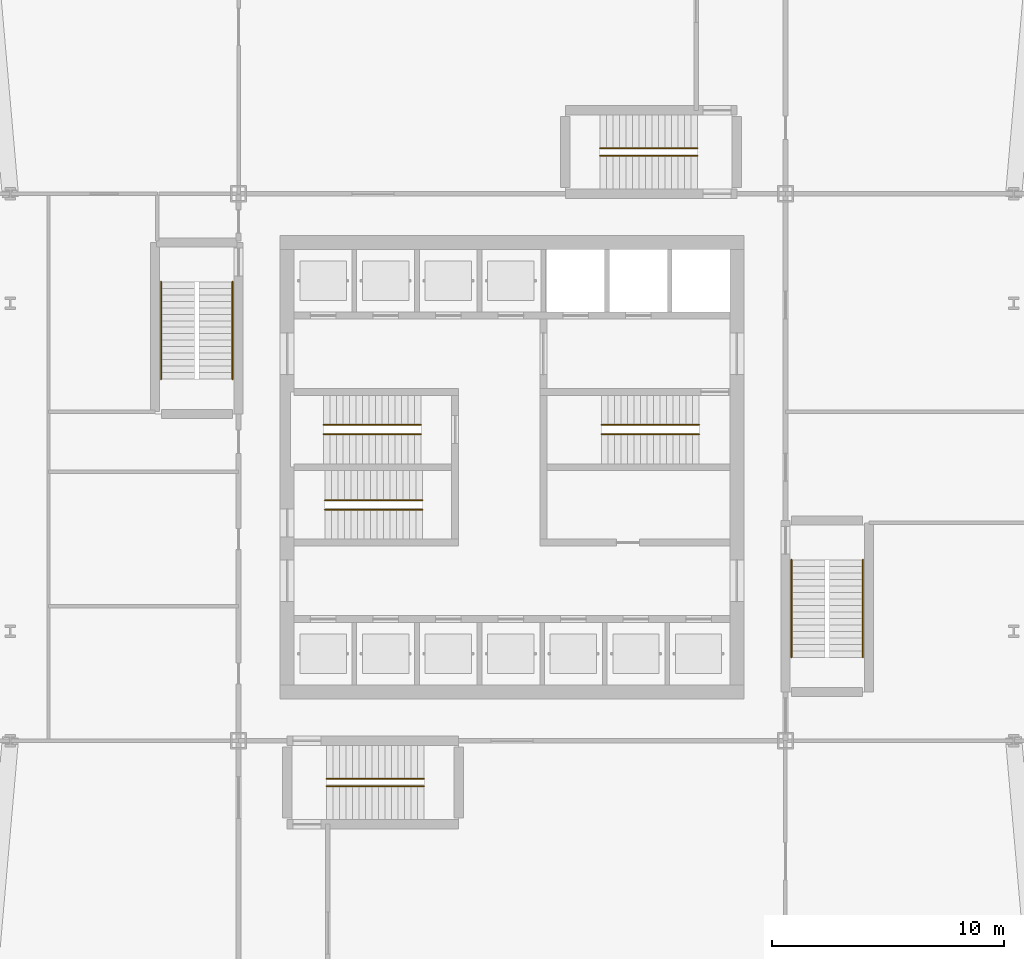
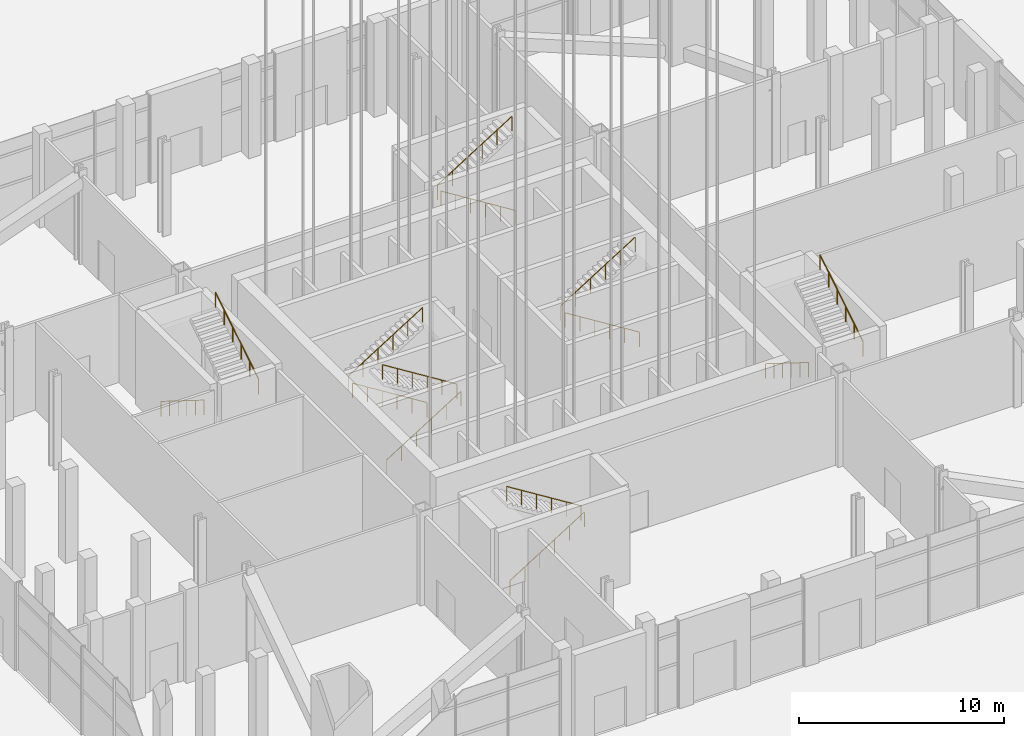
# One storey, part 16 of 27: 14 railings.
"""IFC4 building model written with IfcOpenShell, lengths in metres."""

import ifcopenshell
import ifcopenshell.guid

model = None  # the IFC model being written
_history = None  # IfcOwnerHistory: only IFC2X3 demands one
_inside = {}  # id of a spatial element -> (the spatial element, [elements in it])
_under = {}  # id of a project, library or spatial element -> (it, [spatial elements below it])
_declared = {}  # id of a project -> (the project, [libraries it declares])
_typed = {}  # id of a type object -> (the type object, [elements of that type])
_made_of = {}  # id of a material, layer set ... -> (it, [elements and type objects made of it])


def new_model(schema):
    """Start an empty IFC model of exactly this schema.

    Asked for "IFC4X3", IfcOpenShell would pick the latest addendum, in which some entities
    have other attributes; the version numbers below select the first issue.
    IFC2X3 requires an IfcOwnerHistory on every rooted entity: one is made here for all.
    """
    global model, _history
    if schema == "IFC4X3":
        model = ifcopenshell.file(schema_version=(4, 3, 0, 0))
    else:
        model = ifcopenshell.file(schema=schema)
    _inside.clear()
    _under.clear()
    _declared.clear()
    _typed.clear()
    _made_of.clear()
    _history = None
    if model.schema == "IFC2X3":
        org = make("IfcOrganization", Name="unknown")
        user = make(
            "IfcPersonAndOrganization",
            ThePerson=make("IfcPerson", FamilyName="unknown"),
            TheOrganization=org,
        )
        app = make(
            "IfcApplication",
            ApplicationDeveloper=org,
            Version="unknown",
            ApplicationFullName="unknown",
            ApplicationIdentifier="unknown",
        )
        _history = make(
            "IfcOwnerHistory",
            OwningUser=user,
            OwningApplication=app,
            ChangeAction="ADDED",
            CreationDate=0,
        )
    return model


def make(cls, **values):
    """One entity of the class cls with the attributes given. An attribute that is None is left unset."""
    return model.create_entity(
        cls, **{name: value for name, value in values.items() if value is not None}
    )


def rooted(cls, **values):
    """An entity with a GlobalId (a new one), such as an element, a storey or a relation."""
    return make(cls, GlobalId=ifcopenshell.guid.new(), OwnerHistory=_history, **values)


def si_unit(unit_type, name, prefix=None):
    """IfcSIUnit, for example si_unit("LENGTHUNIT", "METRE", prefix="MILLI")."""
    return make("IfcSIUnit", UnitType=unit_type, Prefix=prefix, Name=name)


def assignment(units):
    """IfcUnitAssignment: the units of a project."""
    return None if units is None else make("IfcUnitAssignment", Units=units)


def point(xyz):
    """IfcCartesianPoint."""
    return None if xyz is None else make("IfcCartesianPoint", Coordinates=xyz)


def direction(xyz):
    """IfcDirection."""
    return None if xyz is None else make("IfcDirection", DirectionRatios=xyz)


def frame(location, z_axis=None, x_axis=None):
    """IfcAxis2Placement3D, a coordinate frame: its origin and axes. An axis left out is left unset."""
    return make(
        "IfcAxis2Placement3D",
        Location=point(location),
        Axis=direction(z_axis),
        RefDirection=direction(x_axis),
    )


def frame_2d(location, x_axis=None):
    """IfcAxis2Placement2D, a coordinate frame in the plane: its origin and x axis."""
    return make(
        "IfcAxis2Placement2D", Location=point(location), RefDirection=direction(x_axis)
    )


def origin():
    """The frame at (0, 0, 0) with its axes left unset."""
    return frame((0.0, 0.0, 0.0))


def origin_2d():
    """The frame at (0, 0) in the plane with its x axis left unset."""
    return frame_2d((0.0, 0.0))


def place(relative_to, where):
    """IfcLocalPlacement: puts the frame where relative to a parent placement (None: the world)."""
    return make(
        "IfcLocalPlacement", PlacementRelTo=relative_to, RelativePlacement=where
    )


def context(
    kind, dimensions, precision=None, world=None, true_north=None, identifier=None
):
    """IfcGeometricRepresentationContext, for example the 3D "Model" context."""
    return make(
        "IfcGeometricRepresentationContext",
        ContextIdentifier=identifier,
        ContextType=kind,
        CoordinateSpaceDimension=dimensions,
        Precision=precision,
        WorldCoordinateSystem=world,
        TrueNorth=true_north,
    )


def subcontext(parent, identifier, kind, view, scale=None):
    """IfcGeometricRepresentationSubContext, for example "Body" below "Model"."""
    return make(
        "IfcGeometricRepresentationSubContext",
        ContextIdentifier=identifier,
        ContextType=kind,
        ParentContext=parent,
        TargetScale=scale,
        TargetView=view,
    )


def project(units=None, contexts=None):
    """IfcProject with its units and contexts."""
    return rooted(
        "IfcProject",
        Name="project",
        RepresentationContexts=contexts,
        UnitsInContext=assignment(units),
    )


def spatial(cls, under=None, at=None, **own):
    """A site, building, storey or space (cls), placed at a placement, below another one or the project."""
    s = rooted(cls, ObjectPlacement=at, **own)
    if under is not None:
        _under.setdefault(under.id(), (under, []))[1].append(s)
    return s


def profile(cls, at=None, kind="AREA", **sizes):
    """A parametric profile (cls). Its sizes go by their IFC names, for example OverallWidth=200.0."""
    return make(cls, ProfileType=kind, Position=at, **sizes)


def circle(**sizes):
    """IfcCircleProfileDef."""
    return profile("IfcCircleProfileDef", **sizes)


def extrude(swept, where, along, depth):
    """IfcExtrudedAreaSolid: the profile swept, set in the frame where, extruded along a direction by depth."""
    return make(
        "IfcExtrudedAreaSolid",
        SweptArea=swept,
        Position=where,
        ExtrudedDirection=direction(along),
        Depth=depth,
    )


def shape(context_of_items, identifier, shape_type, items):
    """IfcShapeRepresentation: the items that make up one representation, for example the "Body"."""
    return make(
        "IfcShapeRepresentation",
        ContextOfItems=context_of_items,
        RepresentationIdentifier=identifier,
        RepresentationType=shape_type,
        Items=items,
    )


def material(Name=None, Category=None):
    """IfcMaterial."""
    return make("IfcMaterial", Name=Name, Category=Category)


def made_of(thing, what):
    """Note that an element or type object is made of a material, layer set ...; save() writes the relation."""
    if what is not None:
        _made_of.setdefault(what.id(), (what, []))[1].append(thing)
    return thing


def type_object(cls, material=None, **own):
    """A type object (cls), such as IfcWallType, which elements share."""
    return made_of(rooted(cls, **own), material)


def element(
    cls,
    number,
    at=None,
    inside=None,
    cuts=None,
    type_object=None,
    material=None,
    context=None,
    identifier="Body",
    shape_type=None,
    held_by="IfcProductDefinitionShape",
    body=None,
    shapes=None,
    **own,
):
    """One element of the class cls, such as IfcWall. Its Tag is "e" and its number.

    at: its placement. inside: the storey or other place that contains it. cuts: it is an
    opening in that element (IfcRelVoidsElement). A single representation is given by context,
    identifier, shape_type and body (its items); several are given by shapes. held_by: the class
    of the entity that holds the representations. save() writes the other relations.
    """
    e = rooted(cls, Tag="e%d" % number, ObjectPlacement=at, **own)
    if body is not None:
        shapes = [shape(context, identifier, shape_type, body)]
    if shapes is not None:
        e.Representation = make(held_by, Representations=shapes)
    if inside is not None:
        _inside.setdefault(inside.id(), (inside, []))[1].append(e)
    if cuts is not None:
        rooted(
            "IfcRelVoidsElement", RelatingBuildingElement=cuts, RelatedOpeningElement=e
        )
    if type_object is not None:
        _typed.setdefault(type_object.id(), (type_object, []))[1].append(e)
    return made_of(e, material)


def aggregate(whole, parts):
    """IfcRelAggregates: a whole, such as a stair, and the parts it consists of."""
    return rooted("IfcRelAggregates", RelatingObject=whole, RelatedObjects=parts)


def save(model, path):
    """Write the relations noted so far, then the file.

    IfcRelAggregates (storeys below a building ...), IfcRelContainedInSpatialStructure (elements
    in a storey), IfcRelDefinesByType, IfcRelAssociatesMaterial and IfcRelDeclares: one each for
    every whole, place, type object, material and project.
    """
    for whole, parts in _under.values():
        aggregate(whole, parts)
    for where, things in _inside.values():
        rooted(
            "IfcRelContainedInSpatialStructure",
            RelatedElements=things,
            RelatingStructure=where,
        )
    for kind, things in _typed.values():
        rooted("IfcRelDefinesByType", RelatedObjects=things, RelatingType=kind)
    for what, things in _made_of.values():
        rooted("IfcRelAssociatesMaterial", RelatedObjects=things, RelatingMaterial=what)
    for by, libraries in _declared.values():
        rooted("IfcRelDeclares", RelatingContext=by, RelatedDefinitions=libraries)
    model.write(path)


model = new_model("IFC4")

# Units and contexts
model_context = context("Model", 3, precision=1e-05, world=origin(), true_north=direction((0.0, 1.0)))
body_context = subcontext(model_context, "Body", "Model", "MODEL_VIEW")
ifc_project = project(units=[si_unit("LENGTHUNIT", "METRE"), si_unit("AREAUNIT", "SQUARE_METRE"), si_unit("VOLUMEUNIT", "CUBIC_METRE"), si_unit("PLANEANGLEUNIT", "RADIAN"), si_unit("MASSUNIT", "GRAM", prefix="KILO")], contexts=[model_context])

# Site, building, storey
site_placement = place(None, origin())
site = spatial("IfcSite", under=ifc_project, at=site_placement, CompositionType="ELEMENT")
building_placement = place(site_placement, origin())
building = spatial("IfcBuilding", under=site, at=building_placement, Name="Turquesa Mirador Hotel Tower", CompositionType="ELEMENT")
storey_placement = place(building_placement, origin())
storey = spatial("IfcBuildingStorey", under=building, at=storey_placement, Name="L00", CompositionType="ELEMENT", Elevation=0.0)

# Railings
ifc_material = material(Name="Painted steel handrail", Category="steel")
railing_type = type_object("IfcRailingType", Name="HANDRAIL 900 STEEL", PredefinedType="HANDRAIL", material=ifc_material)
railing_1_placement = place(storey_placement, frame((51.070068359375, 46.419921875, 0.175048828125)))
element("IfcRailing", 1, at=railing_1_placement, inside=storey, type_object=railing_type, Name="Handrail ST1", PredefinedType="HANDRAIL", context=body_context, shape_type="SweptSolid", body=[
    extrude(circle(Radius=0.02392578125, at=origin_2d()), frame((0.0, 0.0, 0.8759765625), z_axis=(-0.847995534698, 0.0, 0.530003370869), x_axis=(0.0, -1.0, 0.0)), (0.0, 0.0, 1.0), 4.952880859375),
    extrude(circle(Radius=0.02099609375, at=origin_2d()), origin(), (0.0, 0.0, 1.0), 0.851806640625),
    extrude(circle(Radius=0.02099609375, at=origin_2d()), frame((-0.840087890625, 0.0, 0.52490234375)), (0.0, 0.0, 1.0), 0.851806640625),
    extrude(circle(Radius=0.02099609375, at=origin_2d()), frame((-1.679931640625, 0.0, 1.050048828125)), (0.0, 0.0, 1.0), 0.851806640625),
    extrude(circle(Radius=0.02099609375, at=origin_2d()), frame((-2.52001953125, 0.0, 1.574951171875)), (0.0, 0.0, 1.0), 0.851806640625),
    extrude(circle(Radius=0.02099609375, at=origin_2d()), frame((-3.35986328125, 0.0, 2.10009765625)), (0.0, 0.0, 1.0), 0.851806640625),
    extrude(circle(Radius=0.02099609375, at=origin_2d()), frame((-4.199951171875, 0.0, 2.625)), (0.0, 0.0, 1.0), 0.851806640625),
])
for number, where, name in (
    (2, (46.8701171875, 46.830078125, 2.97509765625), "Handrail ST1"),
    (3, (46.929931640625, 43.169921875, 0.175048828125), "Handrail ST2"),
):
    element("IfcRailing", number, at=place(storey_placement, frame(where)), inside=storey, type_object=railing_type, Name=name, PredefinedType="HANDRAIL", context=body_context, shape_type="SweptSolid", body=[
        extrude(circle(Radius=0.02392578125, at=origin_2d()), frame((0.0, 0.0, 0.8759765625), z_axis=(0.847995534698, 0.0, 0.530003370869), x_axis=(0.0, 1.0, 0.0)), (0.0, 0.0, 1.0), 4.952880859375),
        extrude(circle(Radius=0.02099609375, at=origin_2d()), origin(), (0.0, 0.0, 1.0), 0.851806640625),
        extrude(circle(Radius=0.02099609375, at=origin_2d()), frame((0.840087890625, 0.0, 0.52490234375)), (0.0, 0.0, 1.0), 0.851806640625),
        extrude(circle(Radius=0.02099609375, at=origin_2d()), frame((1.679931640625, 0.0, 1.050048828125)), (0.0, 0.0, 1.0), 0.851806640625),
        extrude(circle(Radius=0.02099609375, at=origin_2d()), frame((2.52001953125, 0.0, 1.574951171875)), (0.0, 0.0, 1.0), 0.851806640625),
        extrude(circle(Radius=0.02099609375, at=origin_2d()), frame((3.35986328125, 0.0, 2.10009765625)), (0.0, 0.0, 1.0), 0.851806640625),
        extrude(circle(Radius=0.02099609375, at=origin_2d()), frame((4.199951171875, 0.0, 2.625)), (0.0, 0.0, 1.0), 0.851806640625),
    ])
for number, where, name in (
    (4, (51.1298828125, 43.580078125, 2.97509765625), "Handrail ST2"),
    (5, (63.070068359375, 46.419921875, 0.175048828125), "Handrail ST3"),
):
    element("IfcRailing", number, at=place(storey_placement, frame(where)), inside=storey, type_object=railing_type, Name=name, PredefinedType="HANDRAIL", context=body_context, shape_type="SweptSolid", body=[
        extrude(circle(Radius=0.02392578125, at=origin_2d()), frame((0.0, 0.0, 0.8759765625), z_axis=(-0.847995534698, 0.0, 0.530003370869), x_axis=(0.0, -1.0, 0.0)), (0.0, 0.0, 1.0), 4.952880859375),
        extrude(circle(Radius=0.02099609375, at=origin_2d()), origin(), (0.0, 0.0, 1.0), 0.851806640625),
        extrude(circle(Radius=0.02099609375, at=origin_2d()), frame((-0.840087890625, 0.0, 0.52490234375)), (0.0, 0.0, 1.0), 0.851806640625),
        extrude(circle(Radius=0.02099609375, at=origin_2d()), frame((-1.679931640625, 0.0, 1.050048828125)), (0.0, 0.0, 1.0), 0.851806640625),
        extrude(circle(Radius=0.02099609375, at=origin_2d()), frame((-2.52001953125, 0.0, 1.574951171875)), (0.0, 0.0, 1.0), 0.851806640625),
        extrude(circle(Radius=0.02099609375, at=origin_2d()), frame((-3.35986328125, 0.0, 2.10009765625)), (0.0, 0.0, 1.0), 0.851806640625),
        extrude(circle(Radius=0.02099609375, at=origin_2d()), frame((-4.199951171875, 0.0, 2.625)), (0.0, 0.0, 1.0), 0.851806640625),
    ])
railing_2_placement = place(storey_placement, frame((58.8701171875, 46.830078125, 2.97509765625)))
element("IfcRailing", 6, at=railing_2_placement, inside=storey, type_object=railing_type, Name="Handrail ST3", PredefinedType="HANDRAIL", context=body_context, shape_type="SweptSolid", body=[
    extrude(circle(Radius=0.02392578125, at=origin_2d()), frame((0.0, 0.0, 0.8759765625), z_axis=(0.847995534698, 0.0, 0.530003370869), x_axis=(0.0, 1.0, 0.0)), (0.0, 0.0, 1.0), 4.952880859375),
    extrude(circle(Radius=0.02099609375, at=origin_2d()), origin(), (0.0, 0.0, 1.0), 0.851806640625),
    extrude(circle(Radius=0.02099609375, at=origin_2d()), frame((0.840087890625, 0.0, 0.52490234375)), (0.0, 0.0, 1.0), 0.851806640625),
    extrude(circle(Radius=0.02099609375, at=origin_2d()), frame((1.679931640625, 0.0, 1.050048828125)), (0.0, 0.0, 1.0), 0.851806640625),
    extrude(circle(Radius=0.02099609375, at=origin_2d()), frame((2.52001953125, 0.0, 1.574951171875)), (0.0, 0.0, 1.0), 0.851806640625),
    extrude(circle(Radius=0.02099609375, at=origin_2d()), frame((3.35986328125, 0.0, 2.10009765625)), (0.0, 0.0, 1.0), 0.851806640625),
    extrude(circle(Radius=0.02099609375, at=origin_2d()), frame((4.199951171875, 0.0, 2.625)), (0.0, 0.0, 1.0), 0.851806640625),
])
railing_3_placement = place(storey_placement, frame((63.0, 58.43994140625, 0.175048828125)))
element("IfcRailing", 7, at=railing_3_placement, inside=storey, type_object=railing_type, Name="Handrail PS1", PredefinedType="HANDRAIL", context=body_context, shape_type="SweptSolid", body=[
    extrude(circle(Radius=0.02392578125, at=origin_2d()), frame((0.0, 0.0, 0.8759765625), z_axis=(-0.847995534698, 0.0, 0.530003370869), x_axis=(0.0, -1.0, 0.0)), (0.0, 0.0, 1.0), 4.952880859375),
    extrude(circle(Radius=0.02099609375, at=origin_2d()), origin(), (0.0, 0.0, 1.0), 0.851806640625),
    extrude(circle(Radius=0.02099609375, at=origin_2d()), frame((-0.840087890625, 0.0, 0.52490234375)), (0.0, 0.0, 1.0), 0.851806640625),
    extrude(circle(Radius=0.02099609375, at=origin_2d()), frame((-1.679931640625, 0.0, 1.050048828125)), (0.0, 0.0, 1.0), 0.851806640625),
    extrude(circle(Radius=0.02099609375, at=origin_2d()), frame((-2.52001953125, 0.0, 1.574951171875)), (0.0, 0.0, 1.0), 0.851806640625),
    extrude(circle(Radius=0.02099609375, at=origin_2d()), frame((-3.35986328125, 0.0, 2.10009765625)), (0.0, 0.0, 1.0), 0.851806640625),
    extrude(circle(Radius=0.02099609375, at=origin_2d()), frame((-4.199951171875, 0.0, 2.625)), (0.0, 0.0, 1.0), 0.851806640625),
])
for number, where, name in (
    (8, (58.800048828125, 58.760009765625, 2.97509765625), "Handrail PS1"),
    (9, (47.0, 31.239990234375, 0.175048828125), "Handrail PS2"),
):
    element("IfcRailing", number, at=place(storey_placement, frame(where)), inside=storey, type_object=railing_type, Name=name, PredefinedType="HANDRAIL", context=body_context, shape_type="SweptSolid", body=[
        extrude(circle(Radius=0.02392578125, at=origin_2d()), frame((0.0, 0.0, 0.8759765625), z_axis=(0.847995534698, 0.0, 0.530003370869), x_axis=(0.0, 1.0, 0.0)), (0.0, 0.0, 1.0), 4.952880859375),
        extrude(circle(Radius=0.02099609375, at=origin_2d()), origin(), (0.0, 0.0, 1.0), 0.851806640625),
        extrude(circle(Radius=0.02099609375, at=origin_2d()), frame((0.840087890625, 0.0, 0.52490234375)), (0.0, 0.0, 1.0), 0.851806640625),
        extrude(circle(Radius=0.02099609375, at=origin_2d()), frame((1.679931640625, 0.0, 1.050048828125)), (0.0, 0.0, 1.0), 0.851806640625),
        extrude(circle(Radius=0.02099609375, at=origin_2d()), frame((2.52001953125, 0.0, 1.574951171875)), (0.0, 0.0, 1.0), 0.851806640625),
        extrude(circle(Radius=0.02099609375, at=origin_2d()), frame((3.35986328125, 0.0, 2.10009765625)), (0.0, 0.0, 1.0), 0.851806640625),
        extrude(circle(Radius=0.02099609375, at=origin_2d()), frame((4.199951171875, 0.0, 2.625)), (0.0, 0.0, 1.0), 0.851806640625),
    ])
railing_4_placement = place(storey_placement, frame((51.199951171875, 31.56005859375, 2.97509765625)))
element("IfcRailing", 10, at=railing_4_placement, inside=storey, type_object=railing_type, Name="Handrail PS2", PredefinedType="HANDRAIL", context=body_context, shape_type="SweptSolid", body=[
    extrude(circle(Radius=0.02392578125, at=origin_2d()), frame((0.0, 0.0, 0.8759765625), z_axis=(-0.847995534698, 0.0, 0.530003370869), x_axis=(0.0, -1.0, 0.0)), (0.0, 0.0, 1.0), 4.952880859375),
    extrude(circle(Radius=0.02099609375, at=origin_2d()), origin(), (0.0, 0.0, 1.0), 0.851806640625),
    extrude(circle(Radius=0.02099609375, at=origin_2d()), frame((-0.840087890625, 0.0, 0.52490234375)), (0.0, 0.0, 1.0), 0.851806640625),
    extrude(circle(Radius=0.02099609375, at=origin_2d()), frame((-1.679931640625, 0.0, 1.050048828125)), (0.0, 0.0, 1.0), 0.851806640625),
    extrude(circle(Radius=0.02099609375, at=origin_2d()), frame((-2.52001953125, 0.0, 1.574951171875)), (0.0, 0.0, 1.0), 0.851806640625),
    extrude(circle(Radius=0.02099609375, at=origin_2d()), frame((-3.35986328125, 0.0, 2.10009765625)), (0.0, 0.0, 1.0), 0.851806640625),
    extrude(circle(Radius=0.02099609375, at=origin_2d()), frame((-4.199951171875, 0.0, 2.625)), (0.0, 0.0, 1.0), 0.851806640625),
])
railing_5_placement = place(storey_placement, frame((67.06005859375, 41.0, 0.175048828125)))
element("IfcRailing", 11, at=railing_5_placement, inside=storey, type_object=railing_type, Name="Handrail PS3", PredefinedType="HANDRAIL", context=body_context, shape_type="SweptSolid", body=[
    extrude(circle(Radius=0.02392578125, at=origin_2d()), frame((0.0, 0.0, 0.8759765625), z_axis=(0.0, -0.847995534698, 0.530003370869), x_axis=(1.0, 0.0, 0.0)), (0.0, 0.0, 1.0), 4.952880859375),
    extrude(circle(Radius=0.02099609375, at=origin_2d()), origin(), (0.0, 0.0, 1.0), 0.851806640625),
    extrude(circle(Radius=0.02099609375, at=origin_2d()), frame((0.0, -0.840087890625, 0.52490234375)), (0.0, 0.0, 1.0), 0.851806640625),
    extrude(circle(Radius=0.02099609375, at=origin_2d()), frame((0.0, -1.679931640625, 1.050048828125)), (0.0, 0.0, 1.0), 0.851806640625),
    extrude(circle(Radius=0.02099609375, at=origin_2d()), frame((0.0, -2.52001953125, 1.574951171875)), (0.0, 0.0, 1.0), 0.851806640625),
    extrude(circle(Radius=0.02099609375, at=origin_2d()), frame((0.0, -3.35986328125, 2.10009765625)), (0.0, 0.0, 1.0), 0.851806640625),
    extrude(circle(Radius=0.02099609375, at=origin_2d()), frame((0.0, -4.199951171875, 2.625)), (0.0, 0.0, 1.0), 0.851806640625),
])
railing_6_placement = place(storey_placement, frame((70.139892578125, 36.800048828125, 2.97509765625)))
element("IfcRailing", 12, at=railing_6_placement, inside=storey, type_object=railing_type, Name="Handrail PS3", PredefinedType="HANDRAIL", context=body_context, shape_type="SweptSolid", body=[
    extrude(circle(Radius=0.02392578125, at=origin_2d()), frame((0.0, 0.0, 0.8759765625), z_axis=(0.0, 0.847995534698, 0.530003370869), x_axis=(-1.0, 0.0, 0.0)), (0.0, 0.0, 1.0), 4.952880859375),
    extrude(circle(Radius=0.02099609375, at=origin_2d()), origin(), (0.0, 0.0, 1.0), 0.851806640625),
    extrude(circle(Radius=0.02099609375, at=origin_2d()), frame((0.0, 0.840087890625, 0.52490234375)), (0.0, 0.0, 1.0), 0.851806640625),
    extrude(circle(Radius=0.02099609375, at=origin_2d()), frame((0.0, 1.679931640625, 1.050048828125)), (0.0, 0.0, 1.0), 0.851806640625),
    extrude(circle(Radius=0.02099609375, at=origin_2d()), frame((0.0, 2.52001953125, 1.574951171875)), (0.0, 0.0, 1.0), 0.851806640625),
    extrude(circle(Radius=0.02099609375, at=origin_2d()), frame((0.0, 3.35986328125, 2.10009765625)), (0.0, 0.0, 1.0), 0.851806640625),
    extrude(circle(Radius=0.02099609375, at=origin_2d()), frame((0.0, 4.199951171875, 2.625)), (0.0, 0.0, 1.0), 0.851806640625),
])
railing_7_placement = place(storey_placement, frame((39.860107421875, 53.0, 0.175048828125)))
element("IfcRailing", 13, at=railing_7_placement, inside=storey, type_object=railing_type, Name="Handrail PS4", PredefinedType="HANDRAIL", context=body_context, shape_type="SweptSolid", body=[
    extrude(circle(Radius=0.02392578125, at=origin_2d()), frame((0.0, 0.0, 0.8759765625), z_axis=(0.0, -0.847995534698, 0.530003370869), x_axis=(1.0, 0.0, 0.0)), (0.0, 0.0, 1.0), 4.952880859375),
    extrude(circle(Radius=0.02099609375, at=origin_2d()), origin(), (0.0, 0.0, 1.0), 0.851806640625),
    extrude(circle(Radius=0.02099609375, at=origin_2d()), frame((0.0, -0.840087890625, 0.52490234375)), (0.0, 0.0, 1.0), 0.851806640625),
    extrude(circle(Radius=0.02099609375, at=origin_2d()), frame((0.0, -1.679931640625, 1.050048828125)), (0.0, 0.0, 1.0), 0.851806640625),
    extrude(circle(Radius=0.02099609375, at=origin_2d()), frame((0.0, -2.52001953125, 1.574951171875)), (0.0, 0.0, 1.0), 0.851806640625),
    extrude(circle(Radius=0.02099609375, at=origin_2d()), frame((0.0, -3.35986328125, 2.10009765625)), (0.0, 0.0, 1.0), 0.851806640625),
    extrude(circle(Radius=0.02099609375, at=origin_2d()), frame((0.0, -4.199951171875, 2.625)), (0.0, 0.0, 1.0), 0.851806640625),
])
railing_8_placement = place(storey_placement, frame((42.93994140625, 48.800048828125, 2.97509765625)))
element("IfcRailing", 14, at=railing_8_placement, inside=storey, type_object=railing_type, Name="Handrail PS4", PredefinedType="HANDRAIL", context=body_context, shape_type="SweptSolid", body=[
    extrude(circle(Radius=0.02392578125, at=origin_2d()), frame((0.0, 0.0, 0.8759765625), z_axis=(0.0, 0.847995534698, 0.530003370869), x_axis=(-1.0, 0.0, 0.0)), (0.0, 0.0, 1.0), 4.952880859375),
    extrude(circle(Radius=0.02099609375, at=origin_2d()), origin(), (0.0, 0.0, 1.0), 0.851806640625),
    extrude(circle(Radius=0.02099609375, at=origin_2d()), frame((0.0, 0.840087890625, 0.52490234375)), (0.0, 0.0, 1.0), 0.851806640625),
    extrude(circle(Radius=0.02099609375, at=origin_2d()), frame((0.0, 1.679931640625, 1.050048828125)), (0.0, 0.0, 1.0), 0.851806640625),
    extrude(circle(Radius=0.02099609375, at=origin_2d()), frame((0.0, 2.52001953125, 1.574951171875)), (0.0, 0.0, 1.0), 0.851806640625),
    extrude(circle(Radius=0.02099609375, at=origin_2d()), frame((0.0, 3.35986328125, 2.10009765625)), (0.0, 0.0, 1.0), 0.851806640625),
    extrude(circle(Radius=0.02099609375, at=origin_2d()), frame((0.0, 4.199951171875, 2.625)), (0.0, 0.0, 1.0), 0.851806640625),
])

save(model, "model.ifc")
